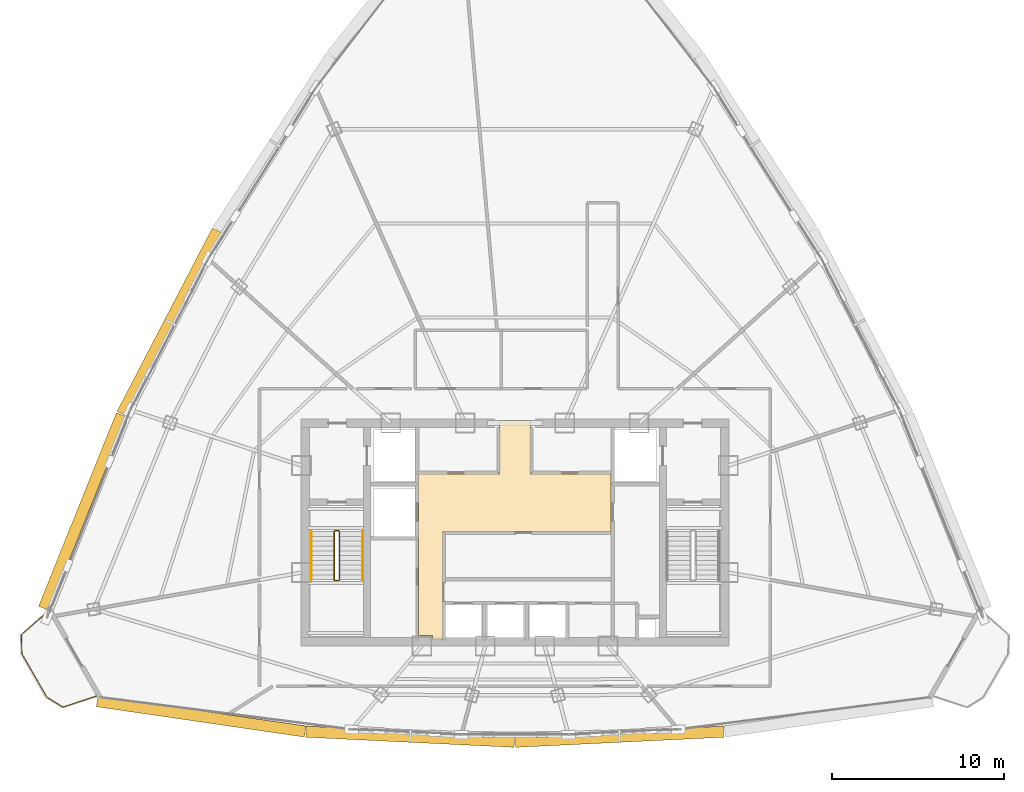
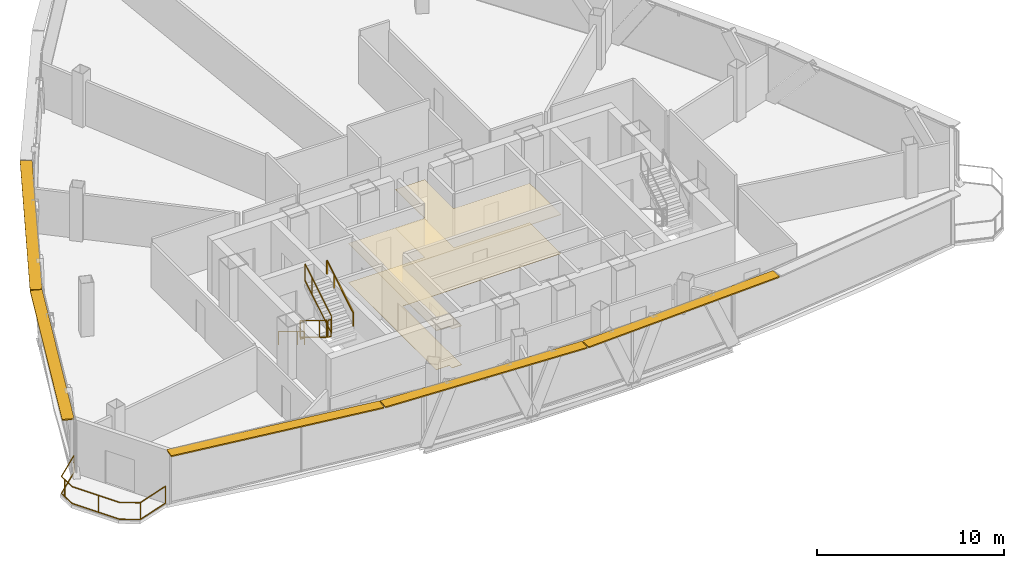
# One storey, part 28 of 30: 7 railings, 5 shading devices, 2 coverings.
"""IFC4 building model written with IfcOpenShell, lengths in metres."""

from ifc_helpers import new_model, si_unit, direction, frame, origin, origin_2d, place, context, subcontext, project, spatial, polyline, rectangle, outline, extrude, source, transform, mapped, material, layer, layer_set, type_object, element, save


model = new_model("IFC4")

# Units and contexts
model_context = context("Model", 3, precision=1e-05, world=origin(), true_north=direction((0.0, 1.0)))
body_context = subcontext(model_context, "Body", "Model", "MODEL_VIEW")
ifc_project = project(units=[si_unit("LENGTHUNIT", "METRE"), si_unit("AREAUNIT", "SQUARE_METRE"), si_unit("VOLUMEUNIT", "CUBIC_METRE"), si_unit("PLANEANGLEUNIT", "RADIAN"), si_unit("MASSUNIT", "GRAM", prefix="KILO"), si_unit("THERMODYNAMICTEMPERATUREUNIT", "KELVIN"), si_unit("POWERUNIT", "WATT")], contexts=[model_context])

# Site, building, storey
site_placement = place(None, origin())
site = spatial("IfcSite", under=ifc_project, at=site_placement, CompositionType="ELEMENT")
building_placement = place(site_placement, origin())
building = spatial("IfcBuilding", under=site, at=building_placement, Name="Yunzhuo Pagoda Commons", CompositionType="ELEMENT")
storey_placement = place(building_placement, frame((0.0, 0.0, 351.760009765625)))
storey = spatial("IfcBuildingStorey", under=building, at=storey_placement, Name="L88", CompositionType="ELEMENT", Elevation=351.760009765625)

# Coverings
ifc_material_1 = material(Name="Micro-perforated metal baffle ceiling")
ifc_layer_1 = layer(ifc_material_1, 0.034912109375)
ifc_layer_set_1 = layer_set([ifc_layer_1], Name="Micro-perforated metal baffle ceiling")
covering_type_1 = type_object("IfcCoveringType", Name="COV-CL3 Ceiling 35", PredefinedType="CEILING", material=ifc_layer_set_1)
covering_1_placement = place(storey_placement, frame((0.0, 0.0, 2.5400390625)))
element("IfcCovering", 1, at=covering_1_placement, inside=storey, type_object=covering_type_1, Name="L88 lift lobby acoustic ceiling", PredefinedType="CEILING", context=body_context, shape_type="SweptSolid", body=[
    extrude(outline(polyline([(43.207763671875, 27.85009765625), (43.201904296875, 27.864013671875), (43.187744140625, 27.8701171875), (42.39990234375, 27.8701171875), (42.39990234375, 33.89990234375), (42.39990234375, 37.25), (47.10009765625, 37.25), (47.10009765625, 40.35009765625), (48.89990234375, 40.35009765625), (48.89990234375, 37.25), (53.580078125, 37.25), (53.580078125, 33.89990234375), (43.820068359375, 33.89990234375), (43.820068359375, 27.60009765625), (43.207763671875, 27.60009765625), (43.207763671875, 27.85009765625)])), origin(), (0.0, 0.0, 1.0), 0.034912109375),
])
ifc_material_2 = material(Name="Resilient acoustic studio flooring")
ifc_layer_2 = layer(ifc_material_2, 0.01806640625)
ifc_layer_set_2 = layer_set([ifc_layer_2], Name="Resilient acoustic studio flooring")
covering_type_2 = type_object("IfcCoveringType", Name="COV-FL3 Flooring 18", PredefinedType="FLOORING", material=ifc_layer_set_2)
covering_2_placement = place(storey_placement, origin())
element("IfcCovering", 2, at=covering_2_placement, inside=storey, type_object=covering_type_2, Name="L88 lift lobby flooring", PredefinedType="FLOORING", context=body_context, shape_type="SweptSolid", body=[
    extrude(outline(polyline([(43.207763671875, 27.85009765625), (43.201904296875, 27.864013671875), (43.187744140625, 27.8701171875), (42.39990234375, 27.8701171875), (42.39990234375, 33.89990234375), (42.39990234375, 37.25), (47.10009765625, 37.25), (47.10009765625, 40.35009765625), (48.89990234375, 40.35009765625), (48.89990234375, 37.25), (53.580078125, 37.25), (53.580078125, 33.89990234375), (43.820068359375, 33.89990234375), (43.820068359375, 27.60009765625), (43.207763671875, 27.60009765625), (43.207763671875, 27.85009765625)])), origin(), (0.0, 0.0, 1.0), 0.01806640625),
])

# Railings
ifc_material_3 = material(Name="Anodized aluminium 6063-T6", Category="aluminium")
railing_type_1 = type_object("IfcRailingType", Name="GR-ST1 Stair Well Guardrail 1150", PredefinedType="GUARDRAIL", material=ifc_material_3)
railing_1_placement = place(storey_placement, frame((37.5, 33.89990234375, 0.17041015625)))
element("IfcRailing", 3, at=railing_1_placement, inside=storey, type_object=railing_type_1, Name="L88 ST1 stair guard 1", PredefinedType="GUARDRAIL", context=body_context, shape_type="SweptSolid", body=[
    extrude(rectangle(XDim=0.048095703125, YDim=0.048095703125, at=origin_2d()), frame((0.0, 0.0, 1.1259765625), z_axis=(0.0, -0.854149651119, 0.520027281489), x_axis=(1.0, 0.0, 0.0)), (0.0, 0.0, 1.0), 3.27783203125),
    extrude(rectangle(XDim=0.048095703125, YDim=0.048095703125, at=origin_2d()), frame((0.0, 0.0, 0.02392578125), z_axis=(0.0, -0.854149651119, 0.520027281489), x_axis=(1.0, 0.0, 0.0)), (0.0, 0.0, 1.0), 3.27783203125),
    extrude(rectangle(XDim=0.0419921875, YDim=0.0419921875, at=origin_2d()), origin(), (0.0, 0.0, 1.0), 1.101806640625),
    extrude(rectangle(XDim=0.0419921875, YDim=0.0419921875, at=origin_2d()), frame((0.0, -2.050048828125, 1.248046875)), (0.0, 0.0, 1.0), 1.101806640625),
    extrude(rectangle(XDim=0.0419921875, YDim=0.0419921875, at=origin_2d()), frame((0.0, -2.7998046875, 1.70458984375)), (0.0, 0.0, 1.0), 1.101806640625),
])
railing_2_placement = place(storey_placement, frame((37.550048828125, 31.050048828125, 1.875)))
element("IfcRailing", 4, at=railing_2_placement, inside=storey, type_object=railing_type_1, Name="L88 ST1 stair guard 2", PredefinedType="GUARDRAIL", context=body_context, shape_type="SweptSolid", body=[
    extrude(rectangle(XDim=0.048095703125, YDim=0.048095703125, at=origin_2d()), frame((0.0, 0.0, 1.1259765625), z_axis=(1.0, 0.0, 0.0), x_axis=(0.0, 1.0, 0.0)), (0.0, 0.0, 1.0), 0.199951171875),
    extrude(rectangle(XDim=0.048095703125, YDim=0.048095703125, at=origin_2d()), frame((0.0, 0.0, 0.02392578125), z_axis=(1.0, 0.0, 0.0), x_axis=(0.0, 1.0, 0.0)), (0.0, 0.0, 1.0), 0.199951171875),
    extrude(rectangle(XDim=0.0419921875, YDim=0.0419921875, at=origin_2d()), origin(), (0.0, 0.0, 1.0), 1.101806640625),
    extrude(rectangle(XDim=0.0419921875, YDim=0.0419921875, at=origin_2d()), frame((0.199951171875, 0.0, 0.0)), (0.0, 0.0, 1.0), 1.101806640625),
])
railing_3_placement = place(storey_placement, frame((37.800048828125, 31.10009765625, 2.04541015625)))
element("IfcRailing", 5, at=railing_3_placement, inside=storey, type_object=railing_type_1, Name="L88 ST1 stair guard 3", PredefinedType="GUARDRAIL", context=body_context, shape_type="SweptSolid", body=[
    extrude(rectangle(XDim=0.048095703125, YDim=0.048095703125, at=origin_2d()), frame((0.0, 0.0, 1.1259765625), z_axis=(0.0, 0.854149651119, 0.520027281489), x_axis=(-1.0, 0.0, 0.0)), (0.0, 0.0, 1.0), 3.27783203125),
    extrude(rectangle(XDim=0.048095703125, YDim=0.048095703125, at=origin_2d()), frame((0.0, 0.0, 0.02392578125), z_axis=(0.0, 0.854149651119, 0.520027281489), x_axis=(-1.0, 0.0, 0.0)), (0.0, 0.0, 1.0), 3.27783203125),
    extrude(rectangle(XDim=0.0419921875, YDim=0.0419921875, at=origin_2d()), origin(), (0.0, 0.0, 1.0), 1.101806640625),
    extrude(rectangle(XDim=0.0419921875, YDim=0.0419921875, at=origin_2d()), frame((0.0, 2.050048828125, 1.248046875)), (0.0, 0.0, 1.0), 1.101806640625),
    extrude(rectangle(XDim=0.0419921875, YDim=0.0419921875, at=origin_2d()), frame((0.0, 2.7998046875, 1.70458984375)), (0.0, 0.0, 1.0), 1.101806640625),
])
railing_4_placement = place(storey_placement, frame((37.550048828125, 33.949951171875, 0.0)))
element("IfcRailing", 6, at=railing_4_placement, inside=storey, type_object=railing_type_1, Name="L88 ST1 stair guard 4", PredefinedType="GUARDRAIL", context=body_context, shape_type="SweptSolid", body=[
    extrude(rectangle(XDim=0.048095703125, YDim=0.048095703125, at=origin_2d()), frame((0.0, 0.0, 1.1259765625), z_axis=(1.0, 0.0, 0.0), x_axis=(0.0, 1.0, 0.0)), (0.0, 0.0, 1.0), 0.199951171875),
    extrude(rectangle(XDim=0.048095703125, YDim=0.048095703125, at=origin_2d()), frame((0.0, 0.0, 0.02392578125), z_axis=(1.0, 0.0, 0.0), x_axis=(0.0, 1.0, 0.0)), (0.0, 0.0, 1.0), 0.199951171875),
    extrude(rectangle(XDim=0.0419921875, YDim=0.0419921875, at=origin_2d()), origin(), (0.0, 0.0, 1.0), 1.101806640625),
    extrude(rectangle(XDim=0.0419921875, YDim=0.0419921875, at=origin_2d()), frame((0.199951171875, 0.0, 0.0)), (0.0, 0.0, 1.0), 1.101806640625),
])
railing_type_2 = type_object("IfcRailingType", Name="HR-ST1 Stair Handrail 900", PredefinedType="HANDRAIL", material=ifc_material_3)
railing_5_placement = place(storey_placement, frame((36.14990234375, 33.89990234375, 0.17041015625)))
element("IfcRailing", 7, at=railing_5_placement, inside=storey, type_object=railing_type_2, Name="L88 ST1 stair handrail 1", PredefinedType="HANDRAIL", context=body_context, shape_type="SweptSolid", body=[
    extrude(rectangle(XDim=0.048095703125, YDim=0.048095703125, at=origin_2d()), frame((0.0, 0.0, 0.8759765625), z_axis=(0.0, -0.854149651119, 0.520027281489), x_axis=(1.0, 0.0, 0.0)), (0.0, 0.0, 1.0), 3.27783203125),
    extrude(rectangle(XDim=0.0419921875, YDim=0.0419921875, at=origin_2d()), origin(), (0.0, 0.0, 1.0), 0.851806640625),
    extrude(rectangle(XDim=0.0419921875, YDim=0.0419921875, at=origin_2d()), frame((0.0, -2.050048828125, 1.248046875)), (0.0, 0.0, 1.0), 0.851806640625),
    extrude(rectangle(XDim=0.0419921875, YDim=0.0419921875, at=origin_2d()), frame((0.0, -2.7998046875, 1.70458984375)), (0.0, 0.0, 1.0), 0.851806640625),
])
railing_6_placement = place(storey_placement, frame((39.14990234375, 31.10009765625, 2.04541015625)))
element("IfcRailing", 8, at=railing_6_placement, inside=storey, type_object=railing_type_2, Name="L88 ST1 stair handrail 2", PredefinedType="HANDRAIL", context=body_context, shape_type="SweptSolid", body=[
    extrude(rectangle(XDim=0.048095703125, YDim=0.048095703125, at=origin_2d()), frame((0.0, 0.0, 0.8759765625), z_axis=(0.0, 0.854149651119, 0.520027281489), x_axis=(-1.0, 0.0, 0.0)), (0.0, 0.0, 1.0), 3.27783203125),
    extrude(rectangle(XDim=0.0419921875, YDim=0.0419921875, at=origin_2d()), origin(), (0.0, 0.0, 1.0), 0.851806640625),
    extrude(rectangle(XDim=0.0419921875, YDim=0.0419921875, at=origin_2d()), frame((0.0, 2.050048828125, 1.248046875)), (0.0, 0.0, 1.0), 0.851806640625),
    extrude(rectangle(XDim=0.0419921875, YDim=0.0419921875, at=origin_2d()), frame((0.0, 2.7998046875, 1.70458984375)), (0.0, 0.0, 1.0), 0.851806640625),
])
railing_type_3 = type_object("IfcRailingType", Name="RL-BAL1 Exterior Terrace & Balcony Balustrade 1150", PredefinedType="BALUSTRADE", material=ifc_material_3)
railing_7_placement = place(storey_placement, frame((20.867431640625, 29.257080078125, 0.0)))
element("IfcRailing", 9, at=railing_7_placement, inside=storey, type_object=railing_type_3, Name="L88 corner balcony balustrade V1", PredefinedType="BALUSTRADE", context=body_context, shape_type="SweptSolid", body=[
    extrude(rectangle(XDim=0.048095703125, YDim=0.048095703125, at=origin_2d()), frame((0.0, 0.0, 1.1259765625), z_axis=(-0.753984993137, -0.656891642605, 0.0), x_axis=(0.656891642605, -0.753984993137, 0.0)), (0.0, 0.0, 1.0), 2.059326171875),
    extrude(rectangle(XDim=0.048095703125, YDim=0.048095703125, at=origin_2d()), frame((0.0, 0.0, 0.02392578125), z_axis=(-0.753984993137, -0.656891642605, 0.0), x_axis=(0.656891642605, -0.753984993137, 0.0)), (0.0, 0.0, 1.0), 2.059326171875),
    extrude(rectangle(XDim=0.048095703125, YDim=0.048095703125, at=origin_2d()), frame((-1.552734375, -1.352783203125, 1.1259765625), z_axis=(0.023750447686, -0.999717918332, 0.0), x_axis=(0.999717918332, 0.023750447686, 0.0)), (0.0, 0.0, 1.0), 1.110107421875),
    extrude(rectangle(XDim=0.048095703125, YDim=0.048095703125, at=origin_2d()), frame((-1.552734375, -1.352783203125, 0.02392578125), z_axis=(0.023750447686, -0.999717918332, 0.0), x_axis=(0.999717918332, 0.023750447686, 0.0)), (0.0, 0.0, 1.0), 1.110107421875),
    extrude(rectangle(XDim=0.048095703125, YDim=0.048095703125, at=origin_2d()), frame((-1.5263671875, -2.462646484375, 1.1259765625), z_axis=(0.497899056357, -0.867234991037, 0.0), x_axis=(0.867234991037, 0.497899056357, 0.0)), (0.0, 0.0, 1.0), 2.9111328125),
    extrude(rectangle(XDim=0.048095703125, YDim=0.048095703125, at=origin_2d()), frame((-1.5263671875, -2.462646484375, 0.02392578125), z_axis=(0.497899056357, -0.867234991037, 0.0), x_axis=(0.867234991037, 0.497899056357, 0.0)), (0.0, 0.0, 1.0), 2.9111328125),
    extrude(rectangle(XDim=0.048095703125, YDim=0.048095703125, at=origin_2d()), frame((-0.076904296875, -4.9873046875, 1.1259765625), z_axis=(0.851499755437, -0.524355000444, 0.0), x_axis=(0.524355000444, 0.851499755437, 0.0)), (0.0, 0.0, 1.0), 1.1103515625),
    extrude(rectangle(XDim=0.048095703125, YDim=0.048095703125, at=origin_2d()), frame((-0.076904296875, -4.9873046875, 0.02392578125), z_axis=(0.851499755437, -0.524355000444, 0.0), x_axis=(0.524355000444, 0.851499755437, 0.0)), (0.0, 0.0, 1.0), 1.1103515625),
    extrude(rectangle(XDim=0.048095703125, YDim=0.048095703125, at=origin_2d()), frame((0.86865234375, -5.569580078125, 1.1259765625), z_axis=(0.947419062147, 0.319995501031, 0.0), x_axis=(-0.319995501031, 0.947419062147, 0.0)), (0.0, 0.0, 1.0), 2.05908203125),
    extrude(rectangle(XDim=0.048095703125, YDim=0.048095703125, at=origin_2d()), frame((0.86865234375, -5.569580078125, 0.02392578125), z_axis=(0.947419062147, 0.319995501031, 0.0), x_axis=(-0.319995501031, 0.947419062147, 0.0)), (0.0, 0.0, 1.0), 2.05908203125),
    extrude(rectangle(XDim=0.0419921875, YDim=0.0419921875, at=origin_2d()), origin(), (0.0, 0.0, 1.0), 1.101806640625),
    extrude(rectangle(XDim=0.0419921875, YDim=0.0419921875, at=origin_2d()), frame((-1.544677734375, -1.693359375, 0.0)), (0.0, 0.0, 1.0), 1.101806640625),
    extrude(rectangle(XDim=0.0419921875, YDim=0.0419921875, at=origin_2d()), frame((-0.714599609375, -3.876708984375, 0.0)), (0.0, 0.0, 1.0), 1.101806640625),
    extrude(rectangle(XDim=0.0419921875, YDim=0.0419921875, at=origin_2d()), frame((0.876953125, -5.566650390625, 0.0)), (0.0, 0.0, 1.0), 1.101806640625),
    extrude(rectangle(XDim=0.0419921875, YDim=0.0419921875, at=origin_2d()), frame((2.819580078125, -4.91064453125, 0.0)), (0.0, 0.0, 1.0), 1.101806640625),
])

# Shading devices
ifc_layer_3 = layer(ifc_material_3, 0.080078125)
ifc_layer_set_3 = layer_set([ifc_layer_3], Name="Anodized aluminium 6063-T6")
shading_device_type = type_object("IfcShadingDeviceType", Name="SH-SUN1 Pagoda Horizontal Sunshade Eave 650", PredefinedType="USERDEFINED", material=ifc_layer_set_3)
shared_shape_1 = source(origin(), body_context, "Body", "SweptSolid", [
    extrude(rectangle(XDim=12.22509765625, YDim=0.64990234375, at=origin_2d()), origin(), (0.0, 0.0, 1.0), 0.080078125),
])
shading_device_1_placement = place(storey_placement, frame((29.760498046875, 23.15380859375, 3.409912109375), z_axis=(0.0, 0.0, 1.0), x_axis=(0.989510666697, -0.144459823108, 0.0)))
element("IfcShadingDevice", 10, at=shading_device_1_placement, inside=storey, type_object=shading_device_type, Name="L88 horizontal pagoda sunshade eave F1.1", ObjectType="SUNSHADE", PredefinedType="USERDEFINED", context=body_context, shape_type="MappedRepresentation", body=[
    mapped(shared_shape_1, transform((0.0, 0.0, 0.0), scale=1.0)),
])
shared_shape_2 = source(origin(), body_context, "Body", "SweptSolid", [
    extrude(rectangle(XDim=12.111083984375, YDim=0.64990234375, at=origin_2d()), origin(), (0.0, 0.0, 1.0), 0.080078125),
])
for number, where, z_axis, x_axis, name in (
    (11, (41.919921875, 21.97021484375, 3.409912109375), (0.0, 0.0, 1.0), (0.998818891953, -0.048588281289, 0.0), "L88 horizontal pagoda sunshade eave F1.2"),
    (12, (54.080078125, 21.97021484375, 3.409912109375), (0.0, 0.0, 1.0), (0.998818891953, 0.048588281289, 0.0), "L88 horizontal pagoda sunshade eave F1.3"),
):
    element("IfcShadingDevice", number, at=place(storey_placement, frame(where, z_axis=z_axis, x_axis=x_axis)), inside=storey, type_object=shading_device_type, Name=name, ObjectType="SUNSHADE", PredefinedType="USERDEFINED", context=body_context, shape_type="MappedRepresentation", body=[
        mapped(shared_shape_2, transform((0.0, 0.0, 0.0), scale=1.0)),
    ])
shared_shape_3 = source(origin(), body_context, "Body", "SweptSolid", [
    extrude(rectangle(XDim=12.126953125, YDim=0.64990234375, at=origin_2d()), origin(), (0.0, 0.0, 1.0), 0.080078125),
])
shading_device_2_placement = place(storey_placement, frame((22.8740234375, 35.060302734375, 3.409912109375), z_axis=(0.0, 0.0, 1.0), x_axis=(-0.373003976317, -0.927829743893, 0.0)))
element("IfcShadingDevice", 13, at=shading_device_2_placement, inside=storey, type_object=shading_device_type, Name="L88 horizontal pagoda sunshade eave F3.4", ObjectType="SUNSHADE", PredefinedType="USERDEFINED", context=body_context, shape_type="MappedRepresentation", body=[
    mapped(shared_shape_3, transform((0.0, 0.0, 0.0), scale=1.0)),
])
shared_shape_4 = source(origin(), body_context, "Body", "SweptSolid", [
    extrude(rectangle(XDim=12.01171875, YDim=0.64990234375, at=origin_2d()), origin(), (0.0, 0.0, 1.0), 0.080078125),
])
shading_device_3_placement = place(storey_placement, frame((27.931884765625, 46.07275390625, 3.409912109375), z_axis=(0.0, 0.0, 1.0), x_axis=(-0.461191196783, -0.88730078328, 0.0)))
element("IfcShadingDevice", 14, at=shading_device_3_placement, inside=storey, type_object=shading_device_type, Name="L88 horizontal pagoda sunshade eave F3.3", ObjectType="SUNSHADE", PredefinedType="USERDEFINED", context=body_context, shape_type="MappedRepresentation", body=[
    mapped(shared_shape_4, transform((0.0, 0.0, 0.0), scale=1.0)),
])

save(model, "model.ifc")
